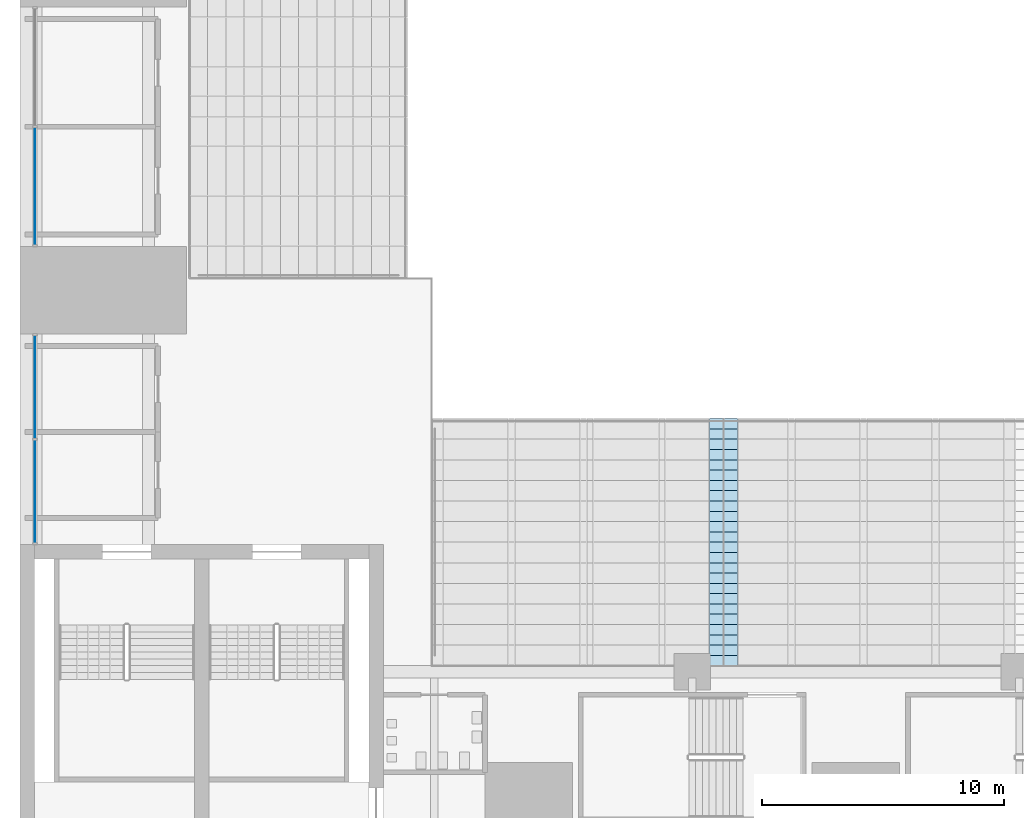
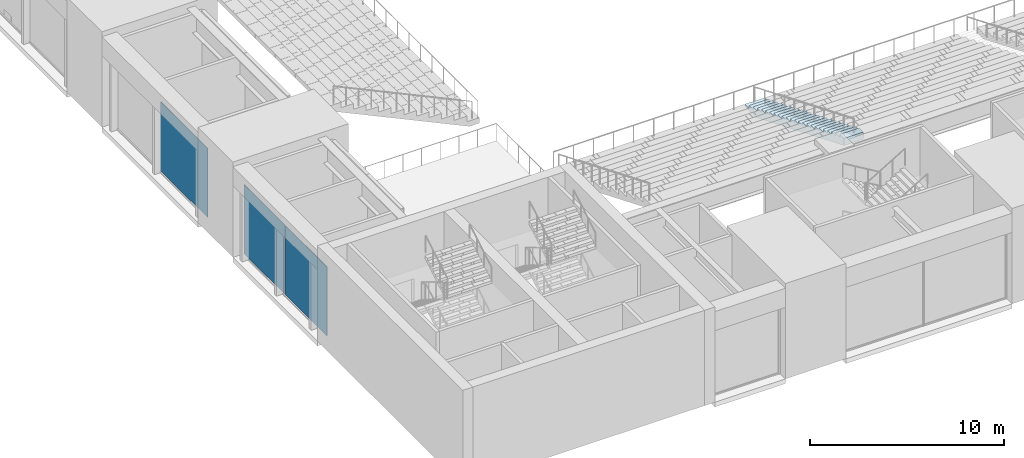
# One storey, part 13 of 61: 3 plates, 1 slab, 2 elements without a shape of their own.
"""IFC4 building model written with IfcOpenShell, lengths in metres."""

from ifc_helpers import new_model, si_unit, direction, frame, origin, origin_2d, place, context, subcontext, project, spatial, polyline, rectangle, outline, extrude, material, layer, layer_set, type_object, element, aggregate, save


model = new_model("IFC4")

# Units and contexts
model_context = context("Model", 3, precision=1e-05, world=origin(), true_north=direction((0.0, 1.0)))
body_context = subcontext(model_context, "Body", "Model", "MODEL_VIEW")
ifc_project = project(units=[si_unit("LENGTHUNIT", "METRE"), si_unit("AREAUNIT", "SQUARE_METRE"), si_unit("VOLUMEUNIT", "CUBIC_METRE"), si_unit("PLANEANGLEUNIT", "RADIAN"), si_unit("MASSUNIT", "GRAM", prefix="KILO")], contexts=[model_context])

# Site, building, storey
site_placement = place(None, origin())
site = spatial("IfcSite", under=ifc_project, at=site_placement, CompositionType="ELEMENT")
building_placement = place(site_placement, origin())
building = spatial("IfcBuilding", under=site, at=building_placement, Name="Corbelhall Arena Tower", CompositionType="ELEMENT")
storey_placement = place(building_placement, frame((0.0, 0.0, 31.0)))
storey = spatial("IfcBuildingStorey", under=building, at=storey_placement, Name="L04", CompositionType="ELEMENT", Elevation=31.0)

# Slab
ifc_material_1 = material(Name="Precast concrete C40/50", Category="concrete")
ifc_layer_1 = layer(ifc_material_1, 0.25)
ifc_layer_set_1 = layer_set([ifc_layer_1], Name="AISLE STEPS (BC 1029)")
slab_type = type_object("IfcSlabType", Name="AISLE STEPS (BC 1029)", PredefinedType="FLOOR", material=ifc_layer_set_1)
slab_placement = place(storey_placement, frame((-18.9599609375, -18.800048828125, 1.625), z_axis=(0.0, 0.0, 1.0), x_axis=(0.0, -1.0, 0.0)))
element("IfcSlab", 1, at=slab_placement, inside=storey, type_object=slab_type, Name="Aisle steps US-AIS4", PredefinedType="FLOOR", context=body_context, shape_type="SweptSolid", body=[
    extrude(outline(polyline([(0.0, 0.0), (0.0, 0.175048828125), (0.425048828125, 0.175048828125), (0.425048828125, 0.35009765625), (0.85009765625, 0.35009765625), (0.85009765625, 0.52490234375), (1.27490234375, 0.52490234375), (1.27490234375, 0.699951171875), (1.699951171875, 0.699951171875), (1.699951171875, 0.875), (2.125, 0.875), (2.125, 1.050048828125), (2.550048828125, 1.050048828125), (2.550048828125, 1.22509765625), (2.97509765625, 1.22509765625), (2.97509765625, 1.39990234375), (3.39990234375, 1.39990234375), (3.39990234375, 1.574951171875), (3.824951171875, 1.574951171875), (3.824951171875, 1.75), (4.25, 1.75), (4.25, 1.925048828125), (4.675048828125, 1.925048828125), (4.675048828125, 2.10009765625), (5.10009765625, 2.10009765625), (5.10009765625, 2.27490234375), (5.52490234375, 2.27490234375), (5.52490234375, 2.449951171875), (5.949951171875, 2.449951171875), (5.949951171875, 2.625), (6.375, 2.625), (6.375, 2.800048828125), (6.800048828125, 2.800048828125), (6.800048828125, 2.97509765625), (7.22509765625, 2.97509765625), (7.22509765625, 3.14990234375), (7.64990234375, 3.14990234375), (7.64990234375, 3.324951171875), (8.074951171875, 3.324951171875), (8.074951171875, 3.5), (8.5, 3.5), (8.5, 3.675048828125), (8.925048828125, 3.675048828125), (8.925048828125, 3.85009765625), (9.35009765625, 3.85009765625), (9.35009765625, 4.02490234375), (9.77490234375, 4.02490234375), (9.77490234375, 4.199951171875), (10.199951171875, 4.199951171875), (10.199951171875, 4.375), (10.199951171875, 3.754638671875), (1.081787109375, 0.0), (0.0, 0.0)])), frame((0.0, 0.580078125, 0.0), z_axis=(0.0, -1.0, 0.0), x_axis=(1.0, 0.0, 0.0)), (0.0, 0.0, 1.0), 1.159912109375),
])

# Curtain wall, plate
ifc_material_2 = material(Name="Aluminium black anodised", Category="aluminium")
ifc_layer_2 = layer(ifc_material_2, 0.239990234375)
ifc_layer_set_2 = layer_set([ifc_layer_2], Name="EV-CW4 Arena concourse glazing")
curtain_wall_type = type_object("IfcCurtainWallType", Name="EV-CW4 Arena concourse glazing", PredefinedType="NOTDEFINED", material=ifc_layer_set_2)
curtain_wall_1_placement = place(storey_placement, origin())
curtain_wall_1 = element("IfcCurtainWall", 2, at=curtain_wall_1_placement, inside=storey, type_object=curtain_wall_type, Name="Curtain wall CW4", PredefinedType="NOTDEFINED")
ifc_material_3 = material(Name="Glass dark tinted laminated", Category="glass")
ifc_layer_3 = layer(ifc_material_3, 0.028076171875)
ifc_layer_set_3 = layer_set([ifc_layer_3], Name="EV-CW4-PANEL")
plate_type = type_object("IfcPlateType", Name="EV-CW4-PANEL", PredefinedType="CURTAIN_PANEL", material=ifc_layer_set_3)
plate_1_placement = place(storey_placement, frame((-47.3798828125, -9.206298828125, 0.074951171875), z_axis=(0.0, 0.0, 1.0), x_axis=(0.0, -1.0, 0.0)))
plate_1 = element("IfcPlate", 3, at=plate_1_placement, type_object=plate_type, Name="CW4 panel 2.1", PredefinedType="CURTAIN_PANEL", context=body_context, shape_type="SweptSolid", body=[
    extrude(rectangle(XDim=4.83740234375, YDim=0.028076171875, at=origin_2d()), origin(), (0.0, 0.0, 1.0), 4.35009765625),
])
aggregate(curtain_wall_1, [plate_1])

# Curtain wall, plates
curtain_wall_2_placement = place(storey_placement, origin())
curtain_wall_2 = element("IfcCurtainWall", 4, at=curtain_wall_2_placement, inside=storey, type_object=curtain_wall_type, Name="Curtain wall CW4B", PredefinedType="NOTDEFINED")
plate_2_placement = place(storey_placement, frame((-47.3798828125, -17.49365234375, 0.074951171875), z_axis=(0.0, 0.0, 1.0), x_axis=(0.0, -1.0, 0.0)))
plate_2 = element("IfcPlate", 5, at=plate_2_placement, type_object=plate_type, Name="CW4B panel 1.1", PredefinedType="CURTAIN_PANEL", context=body_context, shape_type="SweptSolid", body=[
    extrude(rectangle(XDim=4.237548828125, YDim=0.028076171875, at=origin_2d()), origin(), (0.0, 0.0, 1.0), 4.35009765625),
])
plate_3_placement = place(storey_placement, frame((-47.3798828125, -21.80615234375, 0.074951171875), z_axis=(0.0, 0.0, 1.0), x_axis=(0.0, -1.0, 0.0)))
plate_3 = element("IfcPlate", 6, at=plate_3_placement, type_object=plate_type, Name="CW4B panel 2.1", PredefinedType="CURTAIN_PANEL", context=body_context, shape_type="SweptSolid", body=[
    extrude(rectangle(XDim=4.237548828125, YDim=0.028076171875, at=origin_2d()), origin(), (0.0, 0.0, 1.0), 4.35009765625),
])
aggregate(curtain_wall_2, [plate_2, plate_3])

save(model, "model.ifc")
